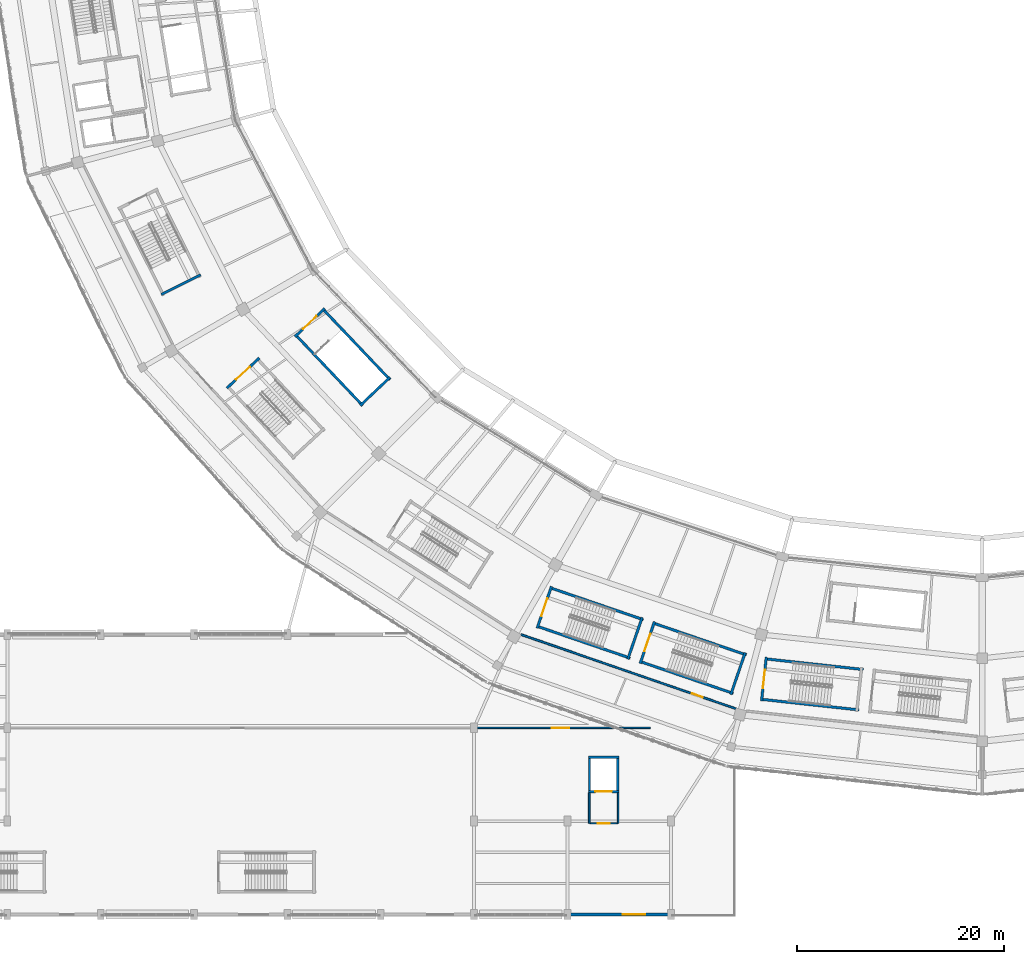
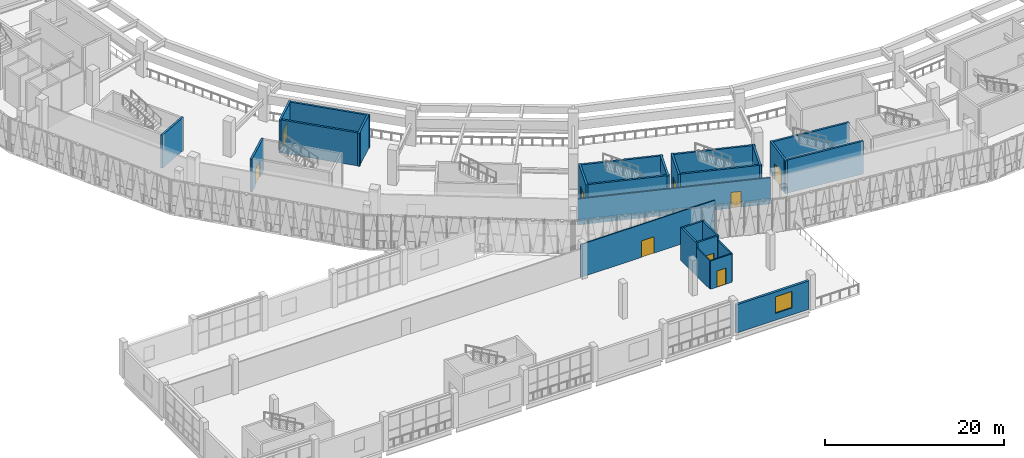
# One storey, part 98 of 179: 27 walls, 9 doors, 1 window, 10 openings.
"""IFC4 building model written with IfcOpenShell, lengths in metres."""

from ifc_helpers import new_model, si_unit, direction, frame, frame_2d, origin, place, context, subcontext, project, spatial, rectangle, extrude, material, layer, layer_set, type_object, element, fill, save


model = new_model("IFC4")

# Units and contexts
model_context = context("Model", 3, precision=1e-05, world=origin(), true_north=direction((0.0, 1.0)))
body_context = subcontext(model_context, "Body", "Model", "MODEL_VIEW")
ifc_project = project(units=[si_unit("LENGTHUNIT", "METRE"), si_unit("AREAUNIT", "SQUARE_METRE"), si_unit("VOLUMEUNIT", "CUBIC_METRE"), si_unit("PLANEANGLEUNIT", "RADIAN"), si_unit("MASSUNIT", "GRAM", prefix="KILO")], contexts=[model_context])

# Site, building, storey
site_placement = place(None, origin())
site = spatial("IfcSite", under=ifc_project, at=site_placement, CompositionType="ELEMENT")
building_placement = place(site_placement, origin())
building = spatial("IfcBuilding", under=site, at=building_placement, Name="Zevraka Park Crest Stadium", CompositionType="ELEMENT")
storey_placement = place(building_placement, frame((0.0, 0.0, 10.199951171875)))
storey = spatial("IfcBuildingStorey", under=building, at=storey_placement, Name="L02", CompositionType="ELEMENT", Elevation=10.199951171875)

# Wall, opening, window
ifc_material_1 = material(Name="Limestone and red clay brick masonry", Category="masonry")
ifc_layer_1 = layer(ifc_material_1, 0.300048828125)
ifc_layer_set_1 = layer_set([ifc_layer_1], Name="Limestone and red clay brick masonry")
wall_type_1 = type_object("IfcWallType", Name="EW02", PredefinedType="STANDARD", material=ifc_layer_set_1)
wall_1_placement = place(storey_placement, frame((81.699951171875, 0.0, 0.0), z_axis=(0.0, 0.0, 1.0), x_axis=(-1.0, 0.0, 0.0)))
wall_1 = element("IfcWall", 1, at=wall_1_placement, inside=storey, type_object=wall_type_1, Name="Wing External Cavity Wall EW02 L02-SW-S1-1", PredefinedType="STANDARD", context=body_context, shape_type="SweptSolid", body=[
    extrude(rectangle(XDim=9.39990234375, YDim=0.300048828125, at=frame_2d((4.699951171875, 0.0))), origin(), (0.0, 0.0, 1.0), 3.85498046875),
])
opening_1_placement = place(wall_1_placement, frame((2.215087890625, 0.0, 0.949951171875)))
opening_1 = element("IfcOpeningElement", 2, at=opening_1_placement, cuts=wall_1, Name="Opening WN28", PredefinedType="OPENING", context=body_context, shape_type="SweptSolid", body=[
    extrude(rectangle(XDim=2.14990234375, YDim=2.25, at=frame_2d((1.074951171875, 1.125))), frame((0.0, 0.159912109375, 0.0), z_axis=(0.0, -1.0, 0.0), x_axis=(1.0, 0.0, 0.0)), (0.0, 0.0, 1.0), 0.320068359375),
])
ifc_material_2 = material(Name="Solar-control laminated double glazing in aluminium frame", Category="aluminium")
window_type = type_object("IfcWindowType", Name="WN28", PartitioningType="SINGLE_PANEL", PredefinedType="WINDOW", material=ifc_material_2)
window_placement = place(opening_1_placement, origin())
window = element("IfcWindow", 3, at=window_placement, inside=storey, type_object=window_type, Name="Facade Casement Window WN28 W-L02-069", OverallHeight=2.25, OverallWidth=2.14990234375, PartitioningType="SINGLE_PANEL", PredefinedType="WINDOW", context=body_context, shape_type="SweptSolid", body=[
    extrude(rectangle(XDim=2.14990234375, YDim=2.25, at=frame_2d((1.074951171875, 1.125))), frame((0.0, 0.030029296875, 0.0), z_axis=(0.0, -1.0, 0.0), x_axis=(1.0, 0.0, 0.0)), (0.0, 0.0, 1.0), 0.06005859375),
])
fill(opening_1, window)

# Walls
ifc_material_3 = material(Name="Fire-rated twin-stud acoustic drywall", Category="other")
ifc_layer_2 = layer(ifc_material_3, 0.159912109375)
ifc_layer_set_2 = layer_set([ifc_layer_2], Name="Fire-rated twin-stud acoustic drywall")
wall_type_2 = type_object("IfcWallType", Name="IW02", PredefinedType="PARTITIONING", material=ifc_layer_set_2)
for number, where, z_axis, x_axis, name in (
    (4, (74.110107421875, 11.75, 0.0), (0.0, 0.0, 1.0), (0.0, -1.0, 0.0), "Goods Lift Lobby Wall IW02 GL02 L02 LEFT"),
    (5, (76.889892578125, 11.75, 0.0), (0.0, 0.0, 1.0), (0.0, -1.0, 0.0), "Goods Lift Lobby Wall IW02 GL02 L02 RIGHT"),
):
    element("IfcWall", number, at=place(storey_placement, frame(where, z_axis=z_axis, x_axis=x_axis)), inside=storey, type_object=wall_type_2, Name=name, PredefinedType="PARTITIONING", context=body_context, shape_type="SweptSolid", body=[
        extrude(rectangle(XDim=2.969970703125, YDim=0.159912109375, at=frame_2d((1.48486328125, 0.0))), origin(), (0.0, 0.0, 1.0), 3.85498046875),
    ])

# Wall, opening, door
wall_2_placement = place(storey_placement, frame((74.110107421875, 8.780029296875, 0.0), z_axis=(0.0, 0.0, 1.0), x_axis=(1.0, 0.0, 0.0)))
wall_2 = element("IfcWall", 6, at=wall_2_placement, inside=storey, type_object=wall_type_2, Name="Goods Lift Lobby Wall IW02 GL02 L02 FRONT", PredefinedType="PARTITIONING", context=body_context, shape_type="SweptSolid", body=[
    extrude(rectangle(XDim=2.77978515625, YDim=0.159912109375, at=frame_2d((1.389892578125, 0.0))), origin(), (0.0, 0.0, 1.0), 3.85498046875),
])
opening_2_placement = place(wall_2_placement, frame((0.81494140625, 0.0, 0.0)))
opening_2 = element("IfcOpeningElement", 7, at=opening_2_placement, cuts=wall_2, Name="Opening D-L02-335", PredefinedType="OPENING", context=body_context, shape_type="SweptSolid", body=[
    extrude(rectangle(XDim=1.14990234375, YDim=2.199951171875, at=frame_2d((0.574951171875, 1.10009765625))), frame((0.0, 0.08984375, 0.0), z_axis=(0.0, -1.0, 0.0), x_axis=(1.0, 0.0, 0.0)), (0.0, 0.0, 1.0), 0.179931640625),
])
ifc_material_4 = material(Name="Solid-core hardwood timber leaf in steel frame", Category="steel")
door_type_1 = type_object("IfcDoorType", Name="DR03", OperationType="NOTDEFINED", PredefinedType="DOOR", material=ifc_material_4)
door_1_placement = place(opening_2_placement, origin())
door_1 = element("IfcDoor", 8, at=door_1_placement, inside=storey, type_object=door_type_1, Name="Goods Lift Lobby GL02 Door D-L02-335", OperationType="SINGLE_SWING_LEFT", OverallHeight=2.199951171875, OverallWidth=1.14990234375, PredefinedType="DOOR", context=body_context, shape_type="SweptSolid", body=[
    extrude(rectangle(XDim=1.14990234375, YDim=2.199951171875, at=frame_2d((0.574951171875, 1.10009765625))), frame((0.0, 0.02490234375, 0.0), z_axis=(0.0, -1.0, 0.0), x_axis=(1.0, 0.0, 0.0)), (0.0, 0.0, 1.0), 0.050048828125),
])
fill(opening_2, door_1)

ifc_material_5 = material(Name="Fire-rated twin-stud acoustic drywall", Category="other")
ifc_layer_3 = layer(ifc_material_5, 0.139892578125)
ifc_layer_set_3 = layer_set([ifc_layer_3], Name="Fire-rated twin-stud acoustic drywall")
wall_type_3 = type_object("IfcWallType", Name="IW03", PredefinedType="PARTITIONING", material=ifc_layer_set_3)
wall_3_placement = place(storey_placement, frame((62.675048828125, 18.0, 0.0), z_axis=(0.0, 0.0, 1.0), x_axis=(1.0, 0.0, 0.0)))
wall_3 = element("IfcWall", 9, at=wall_3_placement, inside=storey, type_object=wall_type_3, Name="Interior Partition IW03 Event Security and Accreditation Office L02", PredefinedType="PARTITIONING", context=body_context, shape_type="SweptSolid", body=[
    extrude(rectangle(XDim=17.324951171875, YDim=0.139892578125, at=frame_2d((8.66259765625, 0.0))), origin(), (0.0, 0.0, 1.0), 4.47998046875),
])
opening_3_placement = place(wall_3_placement, frame((7.837890625, 0.0, 0.0)))
opening_3 = element("IfcOpeningElement", 10, at=opening_3_placement, cuts=wall_3, Name="Opening D-L02-434", PredefinedType="OPENING", context=body_context, shape_type="SweptSolid", body=[
    extrude(rectangle(XDim=1.64990234375, YDim=2.25, at=frame_2d((0.824951171875, 1.125))), frame((0.0, 0.079833984375, 0.0), z_axis=(0.0, -1.0, 0.0), x_axis=(1.0, 0.0, 0.0)), (0.0, 0.0, 1.0), 0.159912109375),
])
ifc_material_6 = material(Name="Solid-core hardwood timber leaf in steel frame", Category="steel")
door_type_2 = type_object("IfcDoorType", Name="DR26", OperationType="NOTDEFINED", PredefinedType="DOOR", material=ifc_material_6)
door_2_placement = place(opening_3_placement, origin())
door_2 = element("IfcDoor", 11, at=door_2_placement, inside=storey, type_object=door_type_2, Name="Event Security and Accreditation Office Door D-L02-434", OperationType="DOUBLE_DOOR_SINGLE_SWING", OverallHeight=2.25, OverallWidth=1.64990234375, PredefinedType="DOOR", context=body_context, shape_type="SweptSolid", body=[
    extrude(rectangle(XDim=1.64990234375, YDim=2.25, at=frame_2d((0.824951171875, 1.125))), frame((0.0, 0.02490234375, 0.0), z_axis=(0.0, -1.0, 0.0), x_axis=(1.0, 0.0, 0.0)), (0.0, 0.0, 1.0), 0.050048828125),
])
fill(opening_3, door_2)

ifc_material_7 = material(Name="Fire-rated twin-stud acoustic drywall", Category="other")
ifc_layer_4 = layer(ifc_material_7, 0.179931640625)
ifc_layer_set_4 = layer_set([ifc_layer_4], Name="Fire-rated twin-stud acoustic drywall")
wall_type_4 = type_object("IfcWallType", Name="IW06", PredefinedType="PARTITIONING", material=ifc_layer_set_4)
wall_4_placement = place(storey_placement, frame((67.506103515625, 26.998046875, 0.0), z_axis=(0.0, 0.0, 1.0), x_axis=(0.94529233531, -0.326224463834, 0.0)))
wall_4 = element("IfcWall", 12, at=wall_4_placement, inside=storey, type_object=wall_type_4, Name="Interior Partition IW06 West Club Members Lounge L02", PredefinedType="PARTITIONING", context=body_context, shape_type="SweptSolid", body=[
    extrude(rectangle(XDim=21.948486328125, YDim=0.179931640625, at=frame_2d((10.97412109375, 0.0))), origin(), (0.0, 0.0, 1.0), 3.56494140625),
])
opening_4_placement = place(wall_4_placement, frame((17.467041015625, 0.0, 0.0)))
opening_4 = element("IfcOpeningElement", 13, at=opening_4_placement, cuts=wall_4, Name="Opening D-L02-411", PredefinedType="OPENING", context=body_context, shape_type="SweptSolid", body=[
    extrude(rectangle(XDim=1.10009765625, YDim=2.14990234375, at=frame_2d((0.550048828125, 1.074951171875))), frame((0.0, 0.099853515625, 0.0), z_axis=(0.0, -1.0, 0.0), x_axis=(1.0, 0.0, 0.0)), (0.0, 0.0, 1.0), 0.199951171875),
])
ifc_material_8 = material(Name="Solid-core hardwood timber leaf in steel frame", Category="steel")
door_type_3 = type_object("IfcDoorType", Name="DR10", OperationType="NOTDEFINED", PredefinedType="DOOR", material=ifc_material_8)
door_3_placement = place(opening_4_placement, origin())
door_3 = element("IfcDoor", 14, at=door_3_placement, inside=storey, type_object=door_type_3, Name="West Club Members Lounge Door D-L02-411", OperationType="SINGLE_SWING_LEFT", OverallHeight=2.14990234375, OverallWidth=1.10009765625, PredefinedType="DOOR", context=body_context, shape_type="SweptSolid", body=[
    extrude(rectangle(XDim=1.10009765625, YDim=2.14990234375, at=frame_2d((0.550048828125, 1.074951171875))), frame((0.0, 0.02490234375, 0.0), z_axis=(0.0, -1.0, 0.0), x_axis=(1.0, 0.0, 0.0)), (0.0, 0.0, 1.0), 0.050048828125),
])
fill(opening_4, door_3)

# Wall
ifc_material_9 = material(Name="Concrete C40/50", Category="concrete")
ifc_layer_5 = layer(ifc_material_9, 0.25)
ifc_layer_set_5 = layer_set([ifc_layer_5], Name="Concrete C40/50")
wall_type_5 = type_object("IfcWallType", Name="SW01", PredefinedType="SHEAR", material=ifc_layer_set_5)
wall_5_placement = place(storey_placement, frame((32.828125, 59.776611328125, 0.0), z_axis=(0.0, 0.0, 1.0), x_axis=(0.89409454548, 0.447878268888, 0.0)))
element("IfcWall", 15, at=wall_5_placement, inside=storey, type_object=wall_type_5, Name="Stair Core Shear Wall SW01 ST14 L02 far", PredefinedType="SHEAR", context=body_context, shape_type="SweptSolid", body=[
    extrude(rectangle(XDim=4.260009765625, YDim=0.25, at=frame_2d((2.1298828125, 0.0))), origin(), (0.0, 0.0, 1.0), 4.5),
])

# Wall, opening, door
wall_6_placement = place(storey_placement, frame((42.28125, 53.6435546875, 0.0), z_axis=(0.0, 0.0, 1.0), x_axis=(-0.732977166505, -0.680253242096, 0.0)))
wall_6 = element("IfcWall", 16, at=wall_6_placement, inside=storey, type_object=wall_type_5, Name="Stair Core Shear Wall SW01 ST15 L02 near", PredefinedType="SHEAR", context=body_context, shape_type="SweptSolid", body=[
    extrude(rectangle(XDim=4.260009765625, YDim=0.25, at=frame_2d((2.1298828125, 0.0))), origin(), (0.0, 0.0, 1.0), 4.5),
])
opening_5_placement = place(wall_6_placement, frame((1.22998046875, 0.0, 0.0)))
opening_5 = element("IfcOpeningElement", 17, at=opening_5_placement, cuts=wall_6, Name="Opening D-L02-090", PredefinedType="OPENING", context=body_context, shape_type="SweptSolid", body=[
    extrude(rectangle(XDim=1.800048828125, YDim=2.25, at=frame_2d((0.89990234375, 1.125))), frame((0.0, 0.135009765625, 0.0), z_axis=(0.0, -1.0, 0.0), x_axis=(1.0, 0.0, 0.0)), (0.0, 0.0, 1.0), 0.27001953125),
])
ifc_material_10 = material(Name="Solid-core hardwood timber leaf in steel frame", Category="steel")
door_type_4 = type_object("IfcDoorType", Name="DR04", OperationType="NOTDEFINED", PredefinedType="DOOR", material=ifc_material_10)
door_4_placement = place(opening_5_placement, origin())
door_4 = element("IfcDoor", 18, at=door_4_placement, inside=storey, type_object=door_type_4, Name="Protected Stair Entry Door ST15 L02", OperationType="DOUBLE_DOOR_SINGLE_SWING", OverallHeight=2.25, OverallWidth=1.800048828125, PredefinedType="DOOR", context=body_context, shape_type="SweptSolid", body=[
    extrude(rectangle(XDim=1.800048828125, YDim=2.25, at=frame_2d((0.89990234375, 1.125))), frame((0.0, 0.02490234375, 0.0), z_axis=(0.0, -1.0, 0.0), x_axis=(1.0, 0.0, 0.0)), (0.0, 0.0, 1.0), 0.050048828125),
])
fill(opening_5, door_4)

# Walls
for number, where, z_axis, x_axis, name in (
    (19, (69.023681640625, 27.809326171875, 0.0), (0.0, 0.0, 1.0), (0.946064424228, -0.323978556712, 0.0), "Stair Core Shear Wall SW01 ST17 L02 left"),
    (20, (79.328369140625, 28.423828125, 0.0), (0.0, 0.0, 1.0), (-0.946064424228, 0.323978556712, 0.0), "Stair Core Shear Wall SW01 ST17 L02 right"),
):
    element("IfcWall", number, at=place(storey_placement, frame(where, z_axis=z_axis, x_axis=x_axis)), inside=storey, type_object=wall_type_5, Name=name, PredefinedType="SHEAR", context=body_context, shape_type="SweptSolid", body=[
        extrude(rectangle(XDim=9.550048828125, YDim=0.25, at=frame_2d((4.77490234375, 0.0))), origin(), (0.0, 0.0, 1.0), 4.5),
    ])

# Wall, opening, door
wall_7_placement = place(storey_placement, frame((70.466796875, 31.63818359375, 0.0), z_axis=(0.0, 0.0, 1.0), x_axis=(-0.323971192516, -0.946066946056, 0.0)))
wall_7 = element("IfcWall", 21, at=wall_7_placement, inside=storey, type_object=wall_type_5, Name="Stair Core Shear Wall SW01 ST17 L02 near", PredefinedType="SHEAR", context=body_context, shape_type="SweptSolid", body=[
    extrude(rectangle(XDim=4.260009765625, YDim=0.25, at=frame_2d((2.1298828125, 0.0))), origin(), (0.0, 0.0, 1.0), 4.5),
])
opening_6_placement = place(wall_7_placement, frame((1.22998046875, 0.0, 0.0)))
opening_6 = element("IfcOpeningElement", 22, at=opening_6_placement, cuts=wall_7, Name="Opening D-L02-101", PredefinedType="OPENING", context=body_context, shape_type="SweptSolid", body=[
    extrude(rectangle(XDim=1.800048828125, YDim=2.25, at=frame_2d((0.89990234375, 1.125))), frame((0.0, 0.135009765625, 0.0), z_axis=(0.0, -1.0, 0.0), x_axis=(1.0, 0.0, 0.0)), (0.0, 0.0, 1.0), 0.27001953125),
])
door_5_placement = place(opening_6_placement, origin())
door_5 = element("IfcDoor", 23, at=door_5_placement, inside=storey, type_object=door_type_4, Name="Protected Stair Entry Door ST17 L02", OperationType="DOUBLE_DOOR_SINGLE_SWING", OverallHeight=2.25, OverallWidth=1.800048828125, PredefinedType="DOOR", context=body_context, shape_type="SweptSolid", body=[
    extrude(rectangle(XDim=1.800048828125, YDim=2.25, at=frame_2d((0.89990234375, 1.125))), frame((0.0, 0.02490234375, 0.0), z_axis=(0.0, -1.0, 0.0), x_axis=(1.0, 0.0, 0.0)), (0.0, 0.0, 1.0), 0.050048828125),
])
fill(opening_6, door_5)

# Walls
wall_8_placement = place(storey_placement, frame((77.828369140625, 24.614501953125, 0.0), z_axis=(0.0, 0.0, 1.0), x_axis=(0.323971192516, 0.946066946056, 0.0)))
element("IfcWall", 24, at=wall_8_placement, inside=storey, type_object=wall_type_5, Name="Stair Core Shear Wall SW01 ST17 L02 far", PredefinedType="SHEAR", context=body_context, shape_type="SweptSolid", body=[
    extrude(rectangle(XDim=4.260009765625, YDim=0.25, at=frame_2d((2.1298828125, 0.0))), origin(), (0.0, 0.0, 1.0), 4.5),
])
for number, where, z_axis, x_axis, name in (
    (25, (90.61474609375, 20.756591796875, 0.0), (0.0, 0.0, 1.0), (0.994127555169, -0.108214620337, 0.0), "Stair Core Shear Wall SW01 ST18 L02 left"),
    (26, (100.532958984375, 23.6201171875, 0.0), (0.0, 0.0, 1.0), (-0.994127555169, 0.108214620337, 0.0), "Stair Core Shear Wall SW01 ST18 L02 right"),
):
    element("IfcWall", number, at=place(storey_placement, frame(where, z_axis=z_axis, x_axis=x_axis)), inside=storey, type_object=wall_type_5, Name=name, PredefinedType="SHEAR", context=body_context, shape_type="SweptSolid", body=[
        extrude(rectangle(XDim=9.550048828125, YDim=0.25, at=frame_2d((4.77490234375, 0.0))), origin(), (0.0, 0.0, 1.0), 4.5),
    ])

# Wall, opening, door
wall_9_placement = place(storey_placement, frame((91.181640625, 24.80908203125, 0.0), z_axis=(0.0, 0.0, 1.0), x_axis=(-0.108198315262, -0.994129329903, 0.0)))
wall_9 = element("IfcWall", 27, at=wall_9_placement, inside=storey, type_object=wall_type_5, Name="Stair Core Shear Wall SW01 ST18 L02 near", PredefinedType="SHEAR", context=body_context, shape_type="SweptSolid", body=[
    extrude(rectangle(XDim=4.260009765625, YDim=0.25, at=frame_2d((2.1298828125, 0.0))), origin(), (0.0, 0.0, 1.0), 4.5),
])
opening_7_placement = place(wall_9_placement, frame((1.22998046875, 0.0, 0.0)))
opening_7 = element("IfcOpeningElement", 28, at=opening_7_placement, cuts=wall_9, Name="Opening D-L02-107", PredefinedType="OPENING", context=body_context, shape_type="SweptSolid", body=[
    extrude(rectangle(XDim=1.800048828125, YDim=2.25, at=frame_2d((0.89990234375, 1.125))), frame((0.0, 0.135009765625, 0.0), z_axis=(0.0, -1.0, 0.0), x_axis=(1.0, 0.0, 0.0)), (0.0, 0.0, 1.0), 0.27001953125),
])
door_6_placement = place(opening_7_placement, origin())
door_6 = element("IfcDoor", 29, at=door_6_placement, inside=storey, type_object=door_type_4, Name="Protected Stair Entry Door ST18 L02", OperationType="DOUBLE_DOOR_SINGLE_SWING", OverallHeight=2.25, OverallWidth=1.800048828125, PredefinedType="DOOR", context=body_context, shape_type="SweptSolid", body=[
    extrude(rectangle(XDim=1.800048828125, YDim=2.25, at=frame_2d((0.89990234375, 1.125))), frame((0.0, 0.02490234375, 0.0), z_axis=(0.0, -1.0, 0.0), x_axis=(1.0, 0.0, 0.0)), (0.0, 0.0, 1.0), 0.050048828125),
])
fill(opening_7, door_6)

# Walls
wall_10_placement = place(storey_placement, frame((78.95751953125, 24.408203125, 0.0), z_axis=(0.0, 0.0, 1.0), x_axis=(0.946072259645, -0.323955675256, 0.0)))
element("IfcWall", 30, at=wall_10_placement, inside=storey, type_object=wall_type_5, Name="Stair Core Shear Wall SW01 ST29 L02 left", PredefinedType="SHEAR", context=body_context, shape_type="SweptSolid", body=[
    extrude(rectangle(XDim=9.5498046875, YDim=0.25, at=frame_2d((4.77490234375, 0.0))), origin(), (0.0, 0.0, 1.0), 4.5),
])
wall_11_placement = place(storey_placement, frame((89.262451171875, 25.02294921875, 0.0), z_axis=(0.0, 0.0, 1.0), x_axis=(-0.946064424228, 0.323978556712, 0.0)))
element("IfcWall", 31, at=wall_11_placement, inside=storey, type_object=wall_type_5, Name="Stair Core Shear Wall SW01 ST29 L02 right", PredefinedType="SHEAR", context=body_context, shape_type="SweptSolid", body=[
    extrude(rectangle(XDim=9.550048828125, YDim=0.25, at=frame_2d((4.77490234375, 0.0))), origin(), (0.0, 0.0, 1.0), 4.5),
])

# Wall, opening, door
wall_12_placement = place(storey_placement, frame((80.40087890625, 28.2373046875, 0.0), z_axis=(0.0, 0.0, 1.0), x_axis=(-0.323971192516, -0.946066946056, 0.0)))
wall_12 = element("IfcWall", 32, at=wall_12_placement, inside=storey, type_object=wall_type_5, Name="Stair Core Shear Wall SW01 ST29 L02 near", PredefinedType="SHEAR", context=body_context, shape_type="SweptSolid", body=[
    extrude(rectangle(XDim=4.260009765625, YDim=0.25, at=frame_2d((2.1298828125, 0.0))), origin(), (0.0, 0.0, 1.0), 4.5),
])
opening_8_placement = place(wall_12_placement, frame((1.22998046875, 0.0, 0.0)))
opening_8 = element("IfcOpeningElement", 33, at=opening_8_placement, cuts=wall_12, Name="Opening D-L02-168", PredefinedType="OPENING", context=body_context, shape_type="SweptSolid", body=[
    extrude(rectangle(XDim=1.800048828125, YDim=2.25, at=frame_2d((0.89990234375, 1.125))), frame((0.0, 0.135009765625, 0.0), z_axis=(0.0, -1.0, 0.0), x_axis=(1.0, 0.0, 0.0)), (0.0, 0.0, 1.0), 0.27001953125),
])
door_7_placement = place(opening_8_placement, origin())
door_7 = element("IfcDoor", 34, at=door_7_placement, inside=storey, type_object=door_type_4, Name="Protected Stair Entry Door ST29 L02", OperationType="DOUBLE_DOOR_SINGLE_SWING", OverallHeight=2.25, OverallWidth=1.800048828125, PredefinedType="DOOR", context=body_context, shape_type="SweptSolid", body=[
    extrude(rectangle(XDim=1.800048828125, YDim=2.25, at=frame_2d((0.89990234375, 1.125))), frame((0.0, 0.02490234375, 0.0), z_axis=(0.0, -1.0, 0.0), x_axis=(1.0, 0.0, 0.0)), (0.0, 0.0, 1.0), 0.050048828125),
])
fill(opening_8, door_7)

# Walls
wall_13_placement = place(storey_placement, frame((87.762451171875, 21.21337890625, 0.0), z_axis=(0.0, 0.0, 1.0), x_axis=(0.323971192516, 0.946066946056, 0.0)))
element("IfcWall", 35, at=wall_13_placement, inside=storey, type_object=wall_type_5, Name="Stair Core Shear Wall SW01 ST29 L02 far", PredefinedType="SHEAR", context=body_context, shape_type="SweptSolid", body=[
    extrude(rectangle(XDim=4.260009765625, YDim=0.25, at=frame_2d((2.1298828125, 0.0))), origin(), (0.0, 0.0, 1.0), 4.5),
])
for number, where, z_axis, x_axis, name in (
    (36, (45.767822265625, 55.916259765625, 0.0), (0.0, 0.0, 1.0), (0.68832701945, -0.725400519916, 0.0), "Stair Core Shear Wall SW01 ST40 L02 left"),
    (37, (54.8984375, 51.552978515625, 0.0), (0.0, 0.0, 1.0), (-0.68832701945, 0.725400519916, 0.0), "Stair Core Shear Wall SW01 ST40 L02 right"),
):
    element("IfcWall", number, at=place(storey_placement, frame(where, z_axis=z_axis, x_axis=x_axis)), inside=storey, type_object=wall_type_5, Name=name, PredefinedType="SHEAR", context=body_context, shape_type="SweptSolid", body=[
        extrude(rectangle(XDim=9.449951171875, YDim=0.25, at=frame_2d((4.72509765625, 0.0))), origin(), (0.0, 0.0, 1.0), 4.5),
    ])

# Wall, opening, door
wall_14_placement = place(storey_placement, frame((48.603271484375, 58.434326171875, 0.0), z_axis=(0.0, 0.0, 1.0), x_axis=(-0.725390288694, -0.688337801569, 0.0)))
wall_14 = element("IfcWall", 38, at=wall_14_placement, inside=storey, type_object=wall_type_5, Name="Stair Core Shear Wall SW01 ST40 L02 near", PredefinedType="SHEAR", context=body_context, shape_type="SweptSolid", body=[
    extrude(rectangle(XDim=3.9599609375, YDim=0.25, at=frame_2d((1.97998046875, 0.0))), origin(), (0.0, 0.0, 1.0), 4.5),
])
opening_9_placement = place(wall_14_placement, frame((1.080078125, 0.0, 0.0)))
opening_9 = element("IfcOpeningElement", 39, at=opening_9_placement, cuts=wall_14, Name="Opening D-L02-216", PredefinedType="OPENING", context=body_context, shape_type="SweptSolid", body=[
    extrude(rectangle(XDim=1.800048828125, YDim=2.25, at=frame_2d((0.89990234375, 1.125))), frame((0.0, 0.135009765625, 0.0), z_axis=(0.0, -1.0, 0.0), x_axis=(1.0, 0.0, 0.0)), (0.0, 0.0, 1.0), 0.27001953125),
])
door_8_placement = place(opening_9_placement, origin())
door_8 = element("IfcDoor", 40, at=door_8_placement, inside=storey, type_object=door_type_4, Name="Protected Stair Entry Door ST40 L02", OperationType="DOUBLE_DOOR_SINGLE_SWING", OverallHeight=2.25, OverallWidth=1.800048828125, PredefinedType="DOOR", context=body_context, shape_type="SweptSolid", body=[
    extrude(rectangle(XDim=1.800048828125, YDim=2.25, at=frame_2d((0.89990234375, 1.125))), frame((0.0, 0.02490234375, 0.0), z_axis=(0.0, -1.0, 0.0), x_axis=(1.0, 0.0, 0.0)), (0.0, 0.0, 1.0), 0.050048828125),
])
fill(opening_9, door_8)

# Wall
wall_15_placement = place(storey_placement, frame((52.02197265625, 49.078369140625, 0.0), z_axis=(0.0, 0.0, 1.0), x_axis=(0.725390288694, 0.688337801569, 0.0)))
element("IfcWall", 41, at=wall_15_placement, inside=storey, type_object=wall_type_5, Name="Stair Core Shear Wall SW01 ST40 L02 far", PredefinedType="SHEAR", context=body_context, shape_type="SweptSolid", body=[
    extrude(rectangle(XDim=3.9599609375, YDim=0.25, at=frame_2d((1.97998046875, 0.0))), origin(), (0.0, 0.0, 1.0), 4.5),
])

# Wall, opening, door
ifc_material_11 = material(Name="Concrete C40/50", Category="concrete")
ifc_layer_6 = layer(ifc_material_11, 0.219970703125)
ifc_layer_set_6 = layer_set([ifc_layer_6], Name="Concrete C40/50")
wall_type_6 = type_object("IfcWallType", Name="SW02", PredefinedType="SHEAR", material=ifc_layer_set_6)
wall_16_placement = place(storey_placement, frame((74.030029296875, 11.840087890625, 0.0), z_axis=(0.0, 0.0, 1.0), x_axis=(1.0, 0.0, 0.0)))
wall_16 = element("IfcWall", 42, at=wall_16_placement, inside=storey, type_object=wall_type_6, Name="Lift Shaft Shear Wall SW02 GL02 L02-1", PredefinedType="SHEAR", context=body_context, shape_type="SweptSolid", body=[
    extrude(rectangle(XDim=2.93994140625, YDim=0.219970703125, at=frame_2d((1.469970703125, 0.0))), origin(), (0.0, 0.0, 1.0), 4.5),
])
opening_10_placement = place(wall_16_placement, frame((0.669921875, 0.0, 0.0)))
opening_10 = element("IfcOpeningElement", 43, at=opening_10_placement, cuts=wall_16, Name="Opening LD-GL02-L02", PredefinedType="OPENING", context=body_context, shape_type="SweptSolid", body=[
    extrude(rectangle(XDim=1.60009765625, YDim=2.300048828125, at=frame_2d((0.800048828125, 1.14990234375))), frame((0.0, 0.119873046875, 0.0), z_axis=(0.0, -1.0, 0.0), x_axis=(1.0, 0.0, 0.0)), (0.0, 0.0, 1.0), 0.239990234375),
])
ifc_material_12 = material(Name="Brushed stainless steel lift landing doors", Category="steel")
door_type_5 = type_object("IfcDoorType", Name="LD03", OperationType="NOTDEFINED", PredefinedType="DOOR", material=ifc_material_12)
door_9_placement = place(opening_10_placement, origin())
door_9 = element("IfcDoor", 44, at=door_9_placement, inside=storey, type_object=door_type_5, Name="Lift Sliding Landing Door LD-GL02-L02", OperationType="SLIDING_TO_LEFT", OverallHeight=2.300048828125, OverallWidth=1.60009765625, PredefinedType="DOOR", context=body_context, shape_type="SweptSolid", body=[
    extrude(rectangle(XDim=1.60009765625, YDim=2.300048828125, at=frame_2d((0.800048828125, 1.14990234375))), frame((0.0, 0.02490234375, 0.0), z_axis=(0.0, -1.0, 0.0), x_axis=(1.0, 0.0, 0.0)), (0.0, 0.0, 1.0), 0.050048828125),
])
fill(opening_10, door_9)

# Walls
wall_17_placement = place(storey_placement, frame((76.860107421875, 11.72998046875, 0.0), z_axis=(0.0, 0.0, 1.0), x_axis=(0.0, 1.0, 0.0)))
element("IfcWall", 45, at=wall_17_placement, inside=storey, type_object=wall_type_6, Name="Lift Shaft Shear Wall SW02 GL02 L02-2", PredefinedType="SHEAR", context=body_context, shape_type="SweptSolid", body=[
    extrude(rectangle(XDim=3.5400390625, YDim=0.219970703125, at=frame_2d((1.77001953125, 0.0))), origin(), (0.0, 0.0, 1.0), 4.5),
])
wall_18_placement = place(storey_placement, frame((76.969970703125, 15.159912109375, 0.0), z_axis=(0.0, 0.0, 1.0), x_axis=(-1.0, 0.0, 0.0)))
element("IfcWall", 46, at=wall_18_placement, inside=storey, type_object=wall_type_6, Name="Lift Shaft Shear Wall SW02 GL02 L02-3", PredefinedType="SHEAR", context=body_context, shape_type="SweptSolid", body=[
    extrude(rectangle(XDim=2.93994140625, YDim=0.219970703125, at=frame_2d((1.469970703125, 0.0))), origin(), (0.0, 0.0, 1.0), 4.5),
])
wall_19_placement = place(storey_placement, frame((74.139892578125, 15.27001953125, 0.0), z_axis=(0.0, 0.0, 1.0), x_axis=(0.0, -1.0, 0.0)))
element("IfcWall", 47, at=wall_19_placement, inside=storey, type_object=wall_type_6, Name="Lift Shaft Shear Wall SW02 GL02 L02-4", PredefinedType="SHEAR", context=body_context, shape_type="SweptSolid", body=[
    extrude(rectangle(XDim=3.5400390625, YDim=0.219970703125, at=frame_2d((1.77001953125, 0.0))), origin(), (0.0, 0.0, 1.0), 4.5),
])

save(model, "model.ifc")
